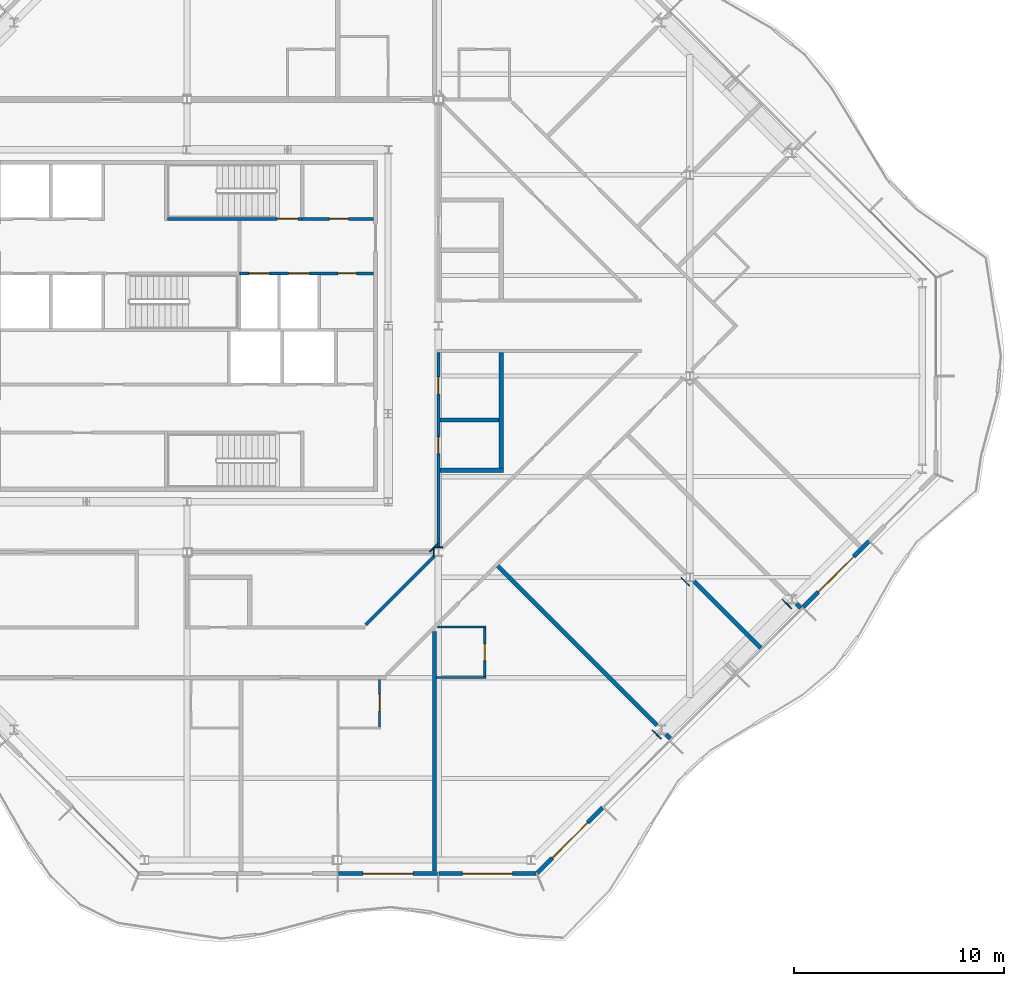
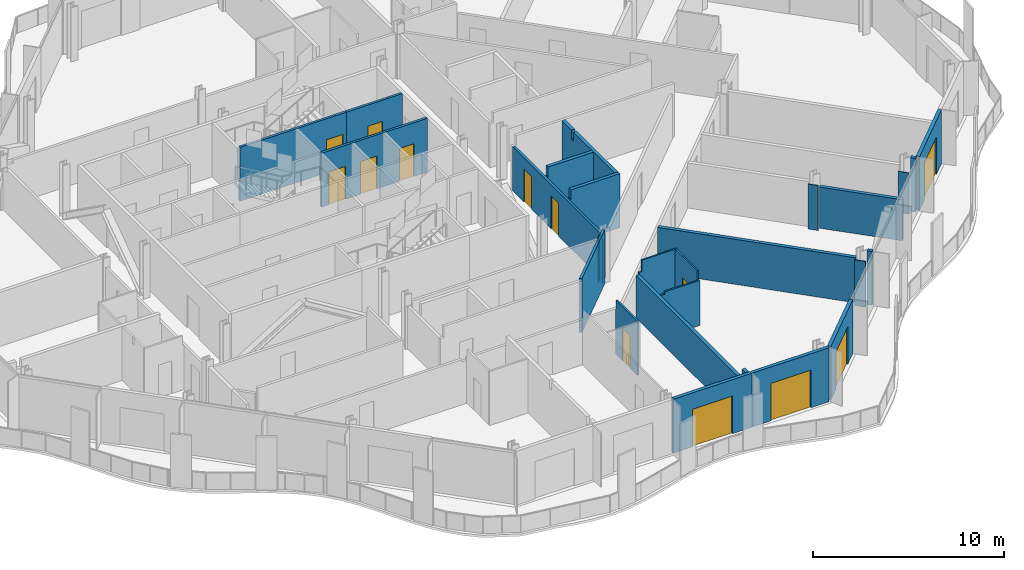
# One storey, part 9 of 17: 27 walls, 13 doors, 13 openings.
"""IFC4 building model written with IfcOpenShell, lengths in metres."""

from ifc_helpers import new_model, si_unit, direction, frame, frame_2d, origin, place, context, subcontext, project, spatial, polyline, rectangle, outline, extrude, material, layer, layer_set, type_object, element, fill, save


model = new_model("IFC4")

# Units and contexts
model_context = context("Model", 3, precision=1e-05, world=origin(), true_north=direction((0.0, 1.0)))
body_context = subcontext(model_context, "Body", "Model", "MODEL_VIEW")
ifc_project = project(units=[si_unit("LENGTHUNIT", "METRE"), si_unit("AREAUNIT", "SQUARE_METRE"), si_unit("VOLUMEUNIT", "CUBIC_METRE"), si_unit("PLANEANGLEUNIT", "RADIAN"), si_unit("MASSUNIT", "GRAM", prefix="KILO")], contexts=[model_context])

# Site, building, storey
site_placement = place(None, origin())
site = spatial("IfcSite", under=ifc_project, at=site_placement, CompositionType="ELEMENT")
building_placement = place(site_placement, origin())
building = spatial("IfcBuilding", under=site, at=building_placement, Name="Cairn Pilgrim Tower", CompositionType="ELEMENT")
storey_placement = place(building_placement, frame((0.0, 0.0, 221.39990234375)))
storey = spatial("IfcBuildingStorey", under=building, at=storey_placement, Name="L56", CompositionType="ELEMENT", Elevation=221.39990234375)

# Wall, opening, door
ifc_material_1 = material(Name="Bronze anodised aluminium insulated sandwich panel with mineral wool fill", Category="aluminium")
ifc_layer_1 = layer(ifc_material_1, 0.199951171875)
ifc_layer_set_1 = layer_set([ifc_layer_1], Name="BRONZE INFILL FRAME WALL 200")
wall_type_1 = type_object("IfcWallType", Name="BRONZE INFILL FRAME WALL 200", PredefinedType="NOTDEFINED", material=ifc_layer_set_1)
wall_1_placement = place(storey_placement, frame((14.429931640625, -23.75, 0.0), z_axis=(0.0, 0.0, 1.0), x_axis=(1.0, 0.0, 0.0)))
wall_1 = element("IfcWall", 1, at=wall_1_placement, inside=storey, type_object=wall_type_1, Name="Bronze infill frame wall IW-S3", PredefinedType="NOTDEFINED", context=body_context, shape_type="SweptSolid", body=[
    extrude(rectangle(XDim=4.739990234375, YDim=0.199951171875, at=frame_2d((2.3701171875, 0.0))), origin(), (0.0, 0.0, 1.0), 3.4501953125),
])
opening_1_placement = place(wall_1_placement, frame((1.169921875, 0.0, 0.0)))
opening_1 = element("IfcOpeningElement", 2, at=opening_1_placement, cuts=wall_1, Name="Opening 5614SB", PredefinedType="OPENING", context=body_context, shape_type="SweptSolid", body=[
    extrude(rectangle(XDim=2.39990234375, YDim=2.39990234375, at=frame_2d((1.199951171875, 1.199951171875))), frame((0.0, 0.10986328125, 0.0), z_axis=(0.0, -1.0, 0.0), x_axis=(1.0, 0.0, 0.0)), (0.0, 0.0, 1.0), 0.219970703125),
])
ifc_material_2 = material(Name="Bronze anodised aluminium frame with tinted low-E glass", Category="aluminium")
door_type_1 = type_object("IfcDoorType", Name="BALCONY SLIDING DOOR 2400x2400", OperationType="DOUBLE_DOOR_SLIDING", PredefinedType="DOOR", material=ifc_material_2)
door_1_placement = place(opening_1_placement, origin())
door_1 = element("IfcDoor", 3, at=door_1_placement, inside=storey, type_object=door_type_1, Name="Balcony sliding door 5614SB", OperationType="SINGLE_SWING_LEFT", OverallHeight=2.39990234375, OverallWidth=2.39990234375, PredefinedType="DOOR", context=body_context, shape_type="SweptSolid", body=[
    extrude(rectangle(XDim=2.39990234375, YDim=2.39990234375, at=frame_2d((1.199951171875, 1.199951171875))), frame((0.0, 0.02490234375, 0.0), z_axis=(0.0, -1.0, 0.0), x_axis=(1.0, 0.0, 0.0)), (0.0, 0.0, 1.0), 0.050048828125),
])
fill(opening_1, door_1)

wall_2_placement = place(storey_placement, frame((19.22998046875, -23.75, 0.0), z_axis=(0.0, 0.0, 1.0), x_axis=(1.0, 0.0, 0.0)))
wall_2 = element("IfcWall", 4, at=wall_2_placement, inside=storey, type_object=wall_type_1, Name="Bronze infill frame wall IW-S4", PredefinedType="NOTDEFINED", context=body_context, shape_type="SweptSolid", body=[
    extrude(rectangle(XDim=4.62646484375, YDim=0.199951171875, at=frame_2d((2.313232421875, 0.0))), origin(), (0.0, 0.0, 1.0), 3.4501953125),
])
opening_2_placement = place(wall_2_placement, frame((1.11865234375, 0.0, 0.0)))
opening_2 = element("IfcOpeningElement", 5, at=opening_2_placement, cuts=wall_2, Name="Opening 5601B", PredefinedType="OPENING", context=body_context, shape_type="SweptSolid", body=[
    extrude(rectangle(XDim=2.39990234375, YDim=2.39990234375, at=frame_2d((1.199951171875, 1.199951171875))), frame((0.0, 0.10986328125, 0.0), z_axis=(0.0, -1.0, 0.0), x_axis=(1.0, 0.0, 0.0)), (0.0, 0.0, 1.0), 0.219970703125),
])
door_2_placement = place(opening_2_placement, origin())
door_2 = element("IfcDoor", 6, at=door_2_placement, inside=storey, type_object=door_type_1, Name="Balcony sliding door 5601B", OperationType="SINGLE_SWING_LEFT", OverallHeight=2.39990234375, OverallWidth=2.39990234375, PredefinedType="DOOR", context=body_context, shape_type="SweptSolid", body=[
    extrude(rectangle(XDim=2.39990234375, YDim=2.39990234375, at=frame_2d((1.199951171875, 1.199951171875))), frame((0.0, 0.02490234375, 0.0), z_axis=(0.0, -1.0, 0.0), x_axis=(1.0, 0.0, 0.0)), (0.0, 0.0, 1.0), 0.050048828125),
])
fill(opening_2, door_2)

wall_3_placement = place(storey_placement, frame((23.9248046875, -23.7216796875, 0.0), z_axis=(0.0, 0.0, 1.0), x_axis=(0.707106781187, 0.707106781187, 0.0)))
wall_3 = element("IfcWall", 7, at=wall_3_placement, inside=storey, type_object=wall_type_1, Name="Bronze infill frame wall IW-SE1", PredefinedType="NOTDEFINED", context=body_context, shape_type="SweptSolid", body=[
    extrude(rectangle(XDim=4.4208984375, YDim=0.199951171875, at=frame_2d((2.21044921875, 0.0))), origin(), (0.0, 0.0, 1.0), 3.4501953125),
])
opening_3_placement = place(wall_3_placement, frame((1.00537109375, 0.0, 0.0)))
opening_3 = element("IfcOpeningElement", 8, at=opening_3_placement, cuts=wall_3, Name="Opening 5601B2", PredefinedType="OPENING", context=body_context, shape_type="SweptSolid", body=[
    extrude(rectangle(XDim=2.39990234375, YDim=2.39990234375, at=frame_2d((1.199951171875, 1.199951171875))), frame((0.0, 0.10986328125, 0.0), z_axis=(0.0, -1.0, 0.0), x_axis=(1.0, 0.0, 0.0)), (0.0, 0.0, 1.0), 0.219970703125),
])
door_3_placement = place(opening_3_placement, origin())
door_3 = element("IfcDoor", 9, at=door_3_placement, inside=storey, type_object=door_type_1, Name="Balcony sliding door 5601B2", OperationType="SINGLE_SWING_LEFT", OverallHeight=2.39990234375, OverallWidth=2.39990234375, PredefinedType="DOOR", context=body_context, shape_type="SweptSolid", body=[
    extrude(rectangle(XDim=2.39990234375, YDim=2.39990234375, at=frame_2d((1.199951171875, 1.199951171875))), frame((0.0, 0.02490234375, 0.0), z_axis=(0.0, -1.0, 0.0), x_axis=(1.0, 0.0, 0.0)), (0.0, 0.0, 1.0), 0.050048828125),
])
fill(opening_3, door_3)

wall_4_placement = place(storey_placement, frame((36.6201171875, -11.0263671875, 0.0), z_axis=(0.0, 0.0, 1.0), x_axis=(0.707106781187, 0.707106781187, 0.0)))
wall_4 = element("IfcWall", 10, at=wall_4_placement, inside=storey, type_object=wall_type_1, Name="Bronze infill frame wall IW-SE5", PredefinedType="NOTDEFINED", context=body_context, shape_type="SweptSolid", body=[
    extrude(rectangle(XDim=4.430908203125, YDim=0.199951171875, at=frame_2d((2.21533203125, 0.0))), origin(), (0.0, 0.0, 1.0), 3.4501953125),
])
opening_4_placement = place(wall_4_placement, frame((1.01513671875, 0.0, 0.0)))
opening_4 = element("IfcOpeningElement", 11, at=opening_4_placement, cuts=wall_4, Name="Opening 5604B", PredefinedType="OPENING", context=body_context, shape_type="SweptSolid", body=[
    extrude(rectangle(XDim=2.39990234375, YDim=2.39990234375, at=frame_2d((1.199951171875, 1.199951171875))), frame((0.0, 0.10986328125, 0.0), z_axis=(0.0, -1.0, 0.0), x_axis=(1.0, 0.0, 0.0)), (0.0, 0.0, 1.0), 0.219970703125),
])
door_4_placement = place(opening_4_placement, origin())
door_4 = element("IfcDoor", 12, at=door_4_placement, inside=storey, type_object=door_type_1, Name="Balcony sliding door 5604B", OperationType="SINGLE_SWING_LEFT", OverallHeight=2.39990234375, OverallWidth=2.39990234375, PredefinedType="DOOR", context=body_context, shape_type="SweptSolid", body=[
    extrude(rectangle(XDim=2.39990234375, YDim=2.39990234375, at=frame_2d((1.199951171875, 1.199951171875))), frame((0.0, 0.02490234375, 0.0), z_axis=(0.0, -1.0, 0.0), x_axis=(1.0, 0.0, 0.0)), (0.0, 0.0, 1.0), 0.050048828125),
])
fill(opening_4, door_4)

# Wall, openings, doors
ifc_material_3 = material(Name="Concrete C32/40", Category="concrete")
ifc_layer_2 = layer(ifc_material_3, 0.14990234375)
ifc_layer_set_2 = layer_set([ifc_layer_2], Name="CORE SHAFT WALL 150 EI 120")
wall_type_2 = type_object("IfcWallType", Name="CORE SHAFT WALL 150 EI 120", PredefinedType="SOLIDWALL", material=ifc_layer_set_2)
wall_5_placement = place(storey_placement, frame((9.699951171875, 4.89990234375, 0.0), z_axis=(0.0, 0.0, 1.0), x_axis=(1.0, 0.0, 0.0)))
wall_5 = element("IfcWall", 13, at=wall_5_placement, inside=storey, type_object=wall_type_2, Name="CW:L56:H09-3", PredefinedType="SOLIDWALL", context=body_context, shape_type="SweptSolid", body=[
    extrude(rectangle(XDim=6.400146484375, YDim=0.14990234375, at=frame_2d((3.2001953125, 0.0))), origin(), (0.0, 0.0, 1.0), 3.4501953125),
])
opening_5_placement = place(wall_5_placement, frame((0.449951171875, 0.0, 0.0)))
opening_5 = element("IfcOpeningElement", 14, at=opening_5_placement, cuts=wall_5, Name="Opening LD-FF1", PredefinedType="OPENING", context=body_context, shape_type="SweptSolid", body=[
    extrude(rectangle(XDim=1.0, YDim=2.10009765625, at=frame_2d((0.5, 1.050048828125))), frame((0.0, 0.0849609375, 0.0), z_axis=(0.0, -1.0, 0.0), x_axis=(1.0, 0.0, 0.0)), (0.0, 0.0, 1.0), 0.169921875),
])
opening_6_placement = place(wall_5_placement, frame((2.35009765625, 0.0, 0.0)))
opening_6 = element("IfcOpeningElement", 15, at=opening_6_placement, cuts=wall_5, Name="Opening LD-FF2", PredefinedType="OPENING", context=body_context, shape_type="SweptSolid", body=[
    extrude(rectangle(XDim=1.0, YDim=2.10009765625, at=frame_2d((0.5, 1.050048828125))), frame((0.0, 0.0849609375, 0.0), z_axis=(0.0, -1.0, 0.0), x_axis=(1.0, 0.0, 0.0)), (0.0, 0.0, 1.0), 0.169921875),
])
opening_7_placement = place(wall_5_placement, frame((4.699951171875, 0.0, 0.0)))
opening_7 = element("IfcOpeningElement", 16, at=opening_7_placement, cuts=wall_5, Name="Opening RD-R3E", PredefinedType="OPENING", context=body_context, shape_type="SweptSolid", body=[
    extrude(rectangle(XDim=0.89990234375, YDim=2.10009765625, at=frame_2d((0.449951171875, 1.050048828125))), frame((0.0, 0.0849609375, 0.0), z_axis=(0.0, -1.0, 0.0), x_axis=(1.0, 0.0, 0.0)), (0.0, 0.0, 1.0), 0.169921875),
])
ifc_material_4 = material(Name="Stainless steel", Category="steel")
door_type_2 = type_object("IfcDoorType", Name="LIFT LANDING DOOR FIRE 1000x2100", OperationType="DOUBLE_DOOR_SLIDING", PredefinedType="DOOR", material=ifc_material_4)
door_5_placement = place(opening_5_placement, origin())
door_5 = element("IfcDoor", 17, at=door_5_placement, inside=storey, type_object=door_type_2, Name="LANDING DOOR FF1", OperationType="DOUBLE_DOOR_SLIDING", OverallHeight=2.10009765625, OverallWidth=1.0, PredefinedType="DOOR", context=body_context, shape_type="SweptSolid", body=[
    extrude(rectangle(XDim=1.0, YDim=2.10009765625, at=frame_2d((0.5, 1.050048828125))), frame((0.0, 0.02490234375, 0.0), z_axis=(0.0, -1.0, 0.0), x_axis=(1.0, 0.0, 0.0)), (0.0, 0.0, 1.0), 0.050048828125),
])
fill(opening_5, door_5)
door_6_placement = place(opening_6_placement, origin())
door_6 = element("IfcDoor", 18, at=door_6_placement, inside=storey, type_object=door_type_2, Name="LANDING DOOR FF2", OperationType="DOUBLE_DOOR_SLIDING", OverallHeight=2.10009765625, OverallWidth=1.0, PredefinedType="DOOR", context=body_context, shape_type="SweptSolid", body=[
    extrude(rectangle(XDim=1.0, YDim=2.10009765625, at=frame_2d((0.5, 1.050048828125))), frame((0.0, 0.02490234375, 0.0), z_axis=(0.0, -1.0, 0.0), x_axis=(1.0, 0.0, 0.0)), (0.0, 0.0, 1.0), 0.050048828125),
])
fill(opening_6, door_6)
ifc_material_5 = material(Name="Painted steel", Category="steel")
door_type_3 = type_object("IfcDoorType", Name="SERVICE ROOM DOOR 900x2100", OperationType="SINGLE_SWING_LEFT", PredefinedType="DOOR", material=ifc_material_5)
door_7_placement = place(opening_7_placement, origin())
door_7 = element("IfcDoor", 19, at=door_7_placement, inside=storey, type_object=door_type_3, Name="RD-R3E", OperationType="SINGLE_SWING_LEFT", OverallHeight=2.10009765625, OverallWidth=0.89990234375, PredefinedType="DOOR", context=body_context, shape_type="SweptSolid", body=[
    extrude(rectangle(XDim=0.89990234375, YDim=2.10009765625, at=frame_2d((0.449951171875, 1.050048828125))), frame((0.0, 0.02490234375, 0.0), z_axis=(0.0, -1.0, 0.0), x_axis=(1.0, 0.0, 0.0)), (0.0, 0.0, 1.0), 0.050048828125),
])
fill(opening_7, door_7)

# Wall, opening, door
wall_6_placement = place(storey_placement, frame((12.699951171875, 7.5, 0.0), z_axis=(0.0, 0.0, 1.0), x_axis=(1.0, 0.0, 0.0)))
wall_6 = element("IfcWall", 20, at=wall_6_placement, inside=storey, type_object=wall_type_2, Name="CW:L56:H11-2", PredefinedType="SOLIDWALL", context=body_context, shape_type="SweptSolid", body=[
    extrude(rectangle(XDim=3.400146484375, YDim=0.14990234375, at=frame_2d((1.7001953125, 0.0))), origin(), (0.0, 0.0, 1.0), 3.4501953125),
])
opening_8_placement = place(wall_6_placement, frame((1.300048828125, 0.0, 0.0)))
opening_8 = element("IfcOpeningElement", 21, at=opening_8_placement, cuts=wall_6, Name="Opening RD-R4E", PredefinedType="OPENING", context=body_context, shape_type="SweptSolid", body=[
    extrude(rectangle(XDim=0.89990234375, YDim=2.10009765625, at=frame_2d((0.449951171875, 1.050048828125))), frame((0.0, 0.0849609375, 0.0), z_axis=(0.0, -1.0, 0.0), x_axis=(1.0, 0.0, 0.0)), (0.0, 0.0, 1.0), 0.169921875),
])
door_8_placement = place(opening_8_placement, origin())
door_8 = element("IfcDoor", 22, at=door_8_placement, inside=storey, type_object=door_type_3, Name="RD-R4E", OperationType="SINGLE_SWING_RIGHT", OverallHeight=2.10009765625, OverallWidth=0.89990234375, PredefinedType="DOOR", context=body_context, shape_type="SweptSolid", body=[
    extrude(rectangle(XDim=0.89990234375, YDim=2.10009765625, at=frame_2d((0.449951171875, 1.050048828125))), frame((0.0, 0.02490234375, 0.0), z_axis=(0.0, -1.0, 0.0), x_axis=(1.0, 0.0, 0.0)), (0.0, 0.0, 1.0), 0.050048828125),
])
fill(opening_8, door_8)

ifc_material_6 = material(Name="Gypsum partition")
ifc_layer_3 = layer(ifc_material_6, 0.10009765625)
ifc_layer_set_3 = layer_set([ifc_layer_3], Name="PARTITION 100 DRYWALL")
wall_type_3 = type_object("IfcWallType", Name="PARTITION 100 DRYWALL", PredefinedType="PARTITIONING", material=ifc_layer_set_3)
wall_7_placement = place(storey_placement, frame((16.39990234375, -16.75, 0.0), z_axis=(0.0, 0.0, 1.0), x_axis=(0.0, 1.0, 0.0)))
wall_7 = element("IfcWall", 23, at=wall_7_placement, inside=storey, type_object=wall_type_3, Name="PARTITION W009", PredefinedType="PARTITIONING", context=body_context, shape_type="SweptSolid", body=[
    extrude(outline(polyline([(0.0, 0.0), (2.27490234375, 0.0), (2.27490234375, 2.880126953125), (2.2451171875, 2.880126953125), (2.242919921875, 3.4501953125), (0.0, 3.4501953125), (0.0, 0.0)])), frame((0.0, 0.050048828125, 0.0), z_axis=(0.0, -1.0, 0.0), x_axis=(1.0, 0.0, 0.0)), (0.0, 0.0, 1.0), 0.10009765625),
])
opening_9_placement = place(wall_7_placement, frame((0.75, 0.0, 0.0)))
opening_9 = element("IfcOpeningElement", 24, at=opening_9_placement, cuts=wall_7, Name="Opening 5614A", PredefinedType="OPENING", context=body_context, shape_type="SweptSolid", body=[
    extrude(rectangle(XDim=0.800048828125, YDim=2.10009765625, at=frame_2d((0.39990234375, 1.050048828125))), frame((0.0, 0.06005859375, 0.0), z_axis=(0.0, -1.0, 0.0), x_axis=(1.0, 0.0, 0.0)), (0.0, 0.0, 1.0), 0.1201171875),
])
ifc_material_7 = material(Name="Timber door leaf", Category="wood")
door_type_4 = type_object("IfcDoorType", Name="WC DOOR 800x2100", OperationType="NOTDEFINED", PredefinedType="DOOR", material=ifc_material_7)
door_9_placement = place(opening_9_placement, frame((0.800048828125, 0.0, 0.0), z_axis=(0.0, 0.0, 1.0), x_axis=(-1.0, 0.0, 0.0)))
door_9 = element("IfcDoor", 25, at=door_9_placement, inside=storey, type_object=door_type_4, Name="DOOR 5614A", OperationType="SINGLE_SWING_RIGHT", OverallHeight=2.10009765625, OverallWidth=0.800048828125, PredefinedType="DOOR", context=body_context, shape_type="SweptSolid", body=[
    extrude(rectangle(XDim=0.800048828125, YDim=2.10009765625, at=frame_2d((0.39990234375, 1.050048828125))), frame((0.0, 0.02490234375, 0.0), z_axis=(0.0, -1.0, 0.0), x_axis=(1.0, 0.0, 0.0)), (0.0, 0.0, 1.0), 0.050048828125),
])
fill(opening_9, door_9)

# Wall
wall_8_placement = place(storey_placement, frame((19.114013671875, -14.3798828125, 0.0), z_axis=(0.0, 0.0, 1.0), x_axis=(1.0, 0.0, 0.0)))
element("IfcWall", 26, at=wall_8_placement, inside=storey, type_object=wall_type_3, Name="PARTITION W012", PredefinedType="PARTITIONING", context=body_context, shape_type="SweptSolid", body=[
    extrude(outline(polyline([(0.0, 0.0), (2.35009765625, 0.0), (2.35009765625, 2.880126953125), (0.236083984375, 2.880126953125), (0.23388671875, 2.72998046875), (0.0, 2.72998046875), (0.0, 0.0)])), frame((0.0, 0.050048828125, 0.0), z_axis=(0.0, -1.0, 0.0), x_axis=(1.0, 0.0, 0.0)), (0.0, 0.0, 1.0), 0.10009765625),
])

# Wall, opening, door
wall_9_placement = place(storey_placement, frame((21.4140625, -14.330078125, 0.0), z_axis=(0.0, 0.0, 1.0), x_axis=(0.0, 1.0, 0.0)))
wall_9 = element("IfcWall", 27, at=wall_9_placement, inside=storey, type_object=wall_type_3, Name="PARTITION W014", PredefinedType="PARTITIONING", context=body_context, shape_type="SweptSolid", body=[
    extrude(outline(polyline([(0.0, 0.0), (2.300048828125, 0.0), (2.300048828125, 3.4501953125), (0.034912109375, 3.4501953125), (0.032958984375, 2.880126953125), (0.0, 2.880126953125), (0.0, 0.0)])), frame((0.0, 0.050048828125, 0.0), z_axis=(0.0, -1.0, 0.0), x_axis=(1.0, 0.0, 0.0)), (0.0, 0.0, 1.0), 0.10009765625),
])
opening_10_placement = place(wall_9_placement, frame((0.75, 0.0, 0.0)))
opening_10 = element("IfcOpeningElement", 28, at=opening_10_placement, cuts=wall_9, Name="Opening 5601A", PredefinedType="OPENING", context=body_context, shape_type="SweptSolid", body=[
    extrude(rectangle(XDim=0.800048828125, YDim=2.10009765625, at=frame_2d((0.39990234375, 1.050048828125))), frame((0.0, 0.06005859375, 0.0), z_axis=(0.0, -1.0, 0.0), x_axis=(1.0, 0.0, 0.0)), (0.0, 0.0, 1.0), 0.1201171875),
])
door_10_placement = place(opening_10_placement, frame((0.800048828125, 0.0, 0.0), z_axis=(0.0, 0.0, 1.0), x_axis=(-1.0, 0.0, 0.0)))
door_10 = element("IfcDoor", 29, at=door_10_placement, inside=storey, type_object=door_type_4, Name="DOOR 5601A", OperationType="SINGLE_SWING_LEFT", OverallHeight=2.10009765625, OverallWidth=0.800048828125, PredefinedType="DOOR", context=body_context, shape_type="SweptSolid", body=[
    extrude(rectangle(XDim=0.800048828125, YDim=2.10009765625, at=frame_2d((0.39990234375, 1.050048828125))), frame((0.0, 0.02490234375, 0.0), z_axis=(0.0, -1.0, 0.0), x_axis=(1.0, 0.0, 0.0)), (0.0, 0.0, 1.0), 0.050048828125),
])
fill(opening_10, door_10)

# Walls
wall_10_placement = place(storey_placement, frame((19.170166015625, -11.97998046875, 0.0), z_axis=(0.0, 0.0, 1.0), x_axis=(1.0, 0.0, 0.0)))
element("IfcWall", 30, at=wall_10_placement, inside=storey, type_object=wall_type_3, Name="PARTITION W019", PredefinedType="PARTITIONING", context=body_context, shape_type="SweptSolid", body=[
    extrude(outline(polyline([(0.0, 0.0), (2.2939453125, 0.0), (2.2939453125, 3.4501953125), (0.179931640625, 3.4501953125), (0.177978515625, 2.72998046875), (0.0, 2.72998046875), (0.0, 0.0)])), frame((0.0, 0.050048828125, 0.0), z_axis=(0.0, -1.0, 0.0), x_axis=(1.0, 0.0, 0.0)), (0.0, 0.0, 1.0), 0.10009765625),
])
ifc_layer_4 = layer(ifc_material_6, 0.14990234375)
ifc_layer_set_4 = layer_set([ifc_layer_4], Name="PARTITION 150 DRYWALL EI 60")
wall_type_4 = type_object("IfcWallType", Name="PARTITION 150 DRYWALL EI 60", PredefinedType="PARTITIONING", material=ifc_layer_set_4)
wall_11_placement = place(storey_placement, frame((15.72802734375, -11.8720703125, 0.0), z_axis=(0.0, 0.0, 1.0), x_axis=(0.707080416772, 0.707133144618, 0.0)))
element("IfcWall", 31, at=wall_11_placement, inside=storey, type_object=wall_type_4, Name="PARTITION W024", PredefinedType="PARTITIONING", context=body_context, shape_type="SweptSolid", body=[
    extrude(rectangle(XDim=4.630126953125, YDim=0.14990234375, at=frame_2d((2.31494140625, 0.0))), origin(), (0.0, 0.0, 1.0), 3.4501953125),
])

# Wall, openings, doors
wall_12_placement = place(storey_placement, frame((19.199951171875, -8.20361328125, 0.0), z_axis=(0.0, 0.0, 1.0), x_axis=(0.0, 1.0, 0.0)))
wall_12 = element("IfcWall", 32, at=wall_12_placement, inside=storey, type_object=wall_type_4, Name="PARTITION W033", PredefinedType="PARTITIONING", context=body_context, shape_type="SweptSolid", body=[
    extrude(rectangle(XDim=9.32861328125, YDim=0.14990234375, at=frame_2d((4.664306640625, 0.0))), origin(), (0.0, 0.0, 1.0), 2.830078125),
])
opening_11_placement = place(wall_12_placement, frame((7.353515625, 0.0, 0.0)))
opening_11 = element("IfcOpeningElement", 33, at=opening_11_placement, cuts=wall_12, Name="Opening 5615", PredefinedType="OPENING", context=body_context, shape_type="SweptSolid", body=[
    extrude(rectangle(XDim=0.800048828125, YDim=2.10009765625, at=frame_2d((0.39990234375, 1.050048828125))), frame((0.0, 0.0849609375, 0.0), z_axis=(0.0, -1.0, 0.0), x_axis=(1.0, 0.0, 0.0)), (0.0, 0.0, 1.0), 0.169921875),
])
opening_12_placement = place(wall_12_placement, frame((4.50341796875, 0.0, 0.0)))
opening_12 = element("IfcOpeningElement", 34, at=opening_12_placement, cuts=wall_12, Name="Opening 5619", PredefinedType="OPENING", context=body_context, shape_type="SweptSolid", body=[
    extrude(rectangle(XDim=0.800048828125, YDim=2.10009765625, at=frame_2d((0.39990234375, 1.050048828125))), frame((0.0, 0.0849609375, 0.0), z_axis=(0.0, -1.0, 0.0), x_axis=(1.0, 0.0, 0.0)), (0.0, 0.0, 1.0), 0.169921875),
])
door_type_5 = type_object("IfcDoorType", Name="WC DOOR 800x2100 FD30S", OperationType="NOTDEFINED", PredefinedType="DOOR", material=ifc_material_7)
door_11_placement = place(opening_11_placement, frame((0.800048828125, 0.0, 0.0), z_axis=(0.0, 0.0, 1.0), x_axis=(-1.0, 0.0, 0.0)))
door_11 = element("IfcDoor", 35, at=door_11_placement, inside=storey, type_object=door_type_5, Name="DOOR 5615", OperationType="SINGLE_SWING_RIGHT", OverallHeight=2.10009765625, OverallWidth=0.800048828125, PredefinedType="DOOR", context=body_context, shape_type="SweptSolid", body=[
    extrude(rectangle(XDim=0.800048828125, YDim=2.10009765625, at=frame_2d((0.39990234375, 1.050048828125))), frame((0.0, 0.02490234375, 0.0), z_axis=(0.0, -1.0, 0.0), x_axis=(1.0, 0.0, 0.0)), (0.0, 0.0, 1.0), 0.050048828125),
])
fill(opening_11, door_11)
door_12_placement = place(opening_12_placement, frame((0.800048828125, 0.0, 0.0), z_axis=(0.0, 0.0, 1.0), x_axis=(-1.0, 0.0, 0.0)))
door_12 = element("IfcDoor", 36, at=door_12_placement, inside=storey, type_object=door_type_5, Name="DOOR 5619", OperationType="SINGLE_SWING_RIGHT", OverallHeight=2.10009765625, OverallWidth=0.800048828125, PredefinedType="DOOR", context=body_context, shape_type="SweptSolid", body=[
    extrude(rectangle(XDim=0.800048828125, YDim=2.10009765625, at=frame_2d((0.39990234375, 1.050048828125))), frame((0.0, 0.02490234375, 0.0), z_axis=(0.0, -1.0, 0.0), x_axis=(1.0, 0.0, 0.0)), (0.0, 0.0, 1.0), 0.050048828125),
])
fill(opening_12, door_12)

# Walls
ifc_layer_5 = layer(ifc_material_6, 0.050048828125)
ifc_layer_set_5 = layer_set([ifc_layer_5], Name="PARTITION 50 DRYWALL EI 60")
wall_type_5 = type_object("IfcWallType", Name="PARTITION 50 DRYWALL EI 60", PredefinedType="PARTITIONING", material=ifc_layer_set_5)
wall_13_placement = place(storey_placement, frame((29.833740234375, -17.324462890625, 0.0), z_axis=(0.0, 0.0, 1.0), x_axis=(-0.706906496032, 0.707307009627, 0.0)))
element("IfcWall", 37, at=wall_13_placement, inside=storey, type_object=wall_type_5, Name="COLUMN CASING WC02", PredefinedType="PARTITIONING", context=body_context, shape_type="SweptSolid", body=[
    extrude(rectangle(XDim=0.609619140625, YDim=0.050048828125, at=frame_2d((0.3046875, 0.0))), origin(), (0.0, 0.0, 1.0), 2.93017578125),
])
wall_14_placement = place(storey_placement, frame((31.182373046875, -10.013671875, 0.0), z_axis=(0.0, 0.0, 1.0), x_axis=(-0.707106781187, 0.707106781187, 0.0)))
element("IfcWall", 38, at=wall_14_placement, inside=storey, type_object=wall_type_5, Name="COLUMN CASING WC04", PredefinedType="PARTITIONING", context=body_context, shape_type="SweptSolid", body=[
    extrude(rectangle(XDim=0.56005859375, YDim=0.050048828125, at=frame_2d((0.280029296875, 0.0))), origin(), (0.0, 0.0, 1.0), 2.880126953125),
])
wall_15_placement = place(storey_placement, frame((18.786376953125, -8.38232421875, 0.0), z_axis=(0.0, 0.0, 1.0), x_axis=(0.707106781187, 0.707106781187, 0.0)))
element("IfcWall", 39, at=wall_15_placement, inside=storey, type_object=wall_type_5, Name="COLUMN CASING WC06", PredefinedType="PARTITIONING", context=body_context, shape_type="SweptSolid", body=[
    extrude(rectangle(XDim=0.56005859375, YDim=0.050048828125, at=frame_2d((0.280029296875, 0.0))), origin(), (0.0, 0.0, 1.0), 2.830078125),
])
wall_16_placement = place(storey_placement, frame((36.05810546875, -11.10009765625, 0.0), z_axis=(0.0, 0.0, 1.0), x_axis=(-0.707307009627, 0.706906496032, 0.0)))
element("IfcWall", 40, at=wall_16_placement, inside=storey, type_object=wall_type_5, Name="COLUMN CASING WC07", PredefinedType="PARTITIONING", context=body_context, shape_type="SweptSolid", body=[
    extrude(rectangle(XDim=0.609619140625, YDim=0.050048828125, at=frame_2d((0.3046875, 0.0))), origin(), (0.0, 0.0, 1.0), 2.630126953125),
])
wall_17_placement = place(storey_placement, frame((19.00048828125, -8.178466796875, 0.0), z_axis=(0.0, 0.0, 1.0), x_axis=(1.0, 0.0, 0.0)))
element("IfcWall", 41, at=wall_17_placement, inside=storey, type_object=wall_type_5, Name="COLUMN CASING WC13", PredefinedType="PARTITIONING", context=body_context, shape_type="SweptSolid", body=[
    extrude(rectangle(XDim=0.39892578125, YDim=0.050048828125, at=frame_2d((0.199462890625, 0.0))), origin(), (0.0, 0.0, 1.0), 2.830078125),
])
wall_18_placement = place(storey_placement, frame((18.9755859375, -8.596435546875, 0.0), z_axis=(0.0, 0.0, 1.0), x_axis=(0.0, 1.0, 0.0)))
element("IfcWall", 42, at=wall_18_placement, inside=storey, type_object=wall_type_5, Name="COLUMN CASING WC14", PredefinedType="PARTITIONING", context=body_context, shape_type="SweptSolid", body=[
    extrude(rectangle(XDim=0.392822265625, YDim=0.050048828125, at=frame_2d((0.1962890625, 0.0))), origin(), (0.0, 0.0, 1.0), 2.830078125),
])
ifc_layer_6 = layer(ifc_material_6, 0.199951171875)
ifc_layer_set_6 = layer_set([ifc_layer_6], Name="SHAFT WALL 200 GYPSUM EI 60")
wall_type_6 = type_object("IfcWallType", Name="SHAFT WALL 200 GYPSUM EI 60", PredefinedType="PARTITIONING", material=ifc_layer_set_6)
wall_19_placement = place(storey_placement, frame((19.013916015625, -23.6201171875, 0.0), z_axis=(0.0, 0.0, 1.0), x_axis=(0.0, 1.0, 0.0)))
element("IfcWall", 43, at=wall_19_placement, inside=storey, type_object=wall_type_6, Name="PARTITION W003", PredefinedType="PARTITIONING", context=body_context, shape_type="SweptSolid", body=[
    extrude(outline(polyline([(0.0, 0.0), (11.43408203125, 0.0), (11.433837890625, 2.72998046875), (0.639892578125, 2.72998046875), (0.637939453125, 2.93017578125), (0.3701171875, 2.93017578125), (0.367919921875, 3.4501953125), (0.0, 3.4501953125), (0.0, 0.0)])), frame((0.0, 0.10009765625, 0.0), z_axis=(0.0, -1.0, 0.0), x_axis=(1.0, 0.0, 0.0)), (0.0, 0.0, 1.0), 0.199951171875),
])
wall_20_placement = place(storey_placement, frame((30.268798828125, -17.292724609375, 0.0), z_axis=(0.0, 0.0, 1.0), x_axis=(-0.707106781187, 0.707106781187, 0.0)))
element("IfcWall", 44, at=wall_20_placement, inside=storey, type_object=wall_type_6, Name="PARTITION W005", PredefinedType="PARTITIONING", context=body_context, shape_type="SweptSolid", body=[
    extrude(rectangle(XDim=0.28515625, YDim=0.199951171875, at=frame_2d((0.142578125, 0.0))), origin(), (0.0, 0.0, 1.0), 3.4501953125),
])
wall_21_placement = place(storey_placement, frame((29.635986328125, -16.66015625, 0.0), z_axis=(0.0, 0.0, 1.0), x_axis=(-0.707095420673, 0.707118141518, 0.0)))
element("IfcWall", 45, at=wall_21_placement, inside=storey, type_object=wall_type_6, Name="PARTITION W010", PredefinedType="PARTITIONING", context=body_context, shape_type="SweptSolid", body=[
    extrude(rectangle(XDim=10.7451171875, YDim=0.199951171875, at=frame_2d((5.37255859375, 0.0))), origin(), (0.0, 0.0, 1.0), 2.880126953125),
])
wall_22_placement = place(storey_placement, frame((34.580810546875, -12.980712890625, 0.0), z_axis=(0.0, 0.0, 1.0), x_axis=(-0.707133900936, 0.707079660397, 0.0)))
element("IfcWall", 46, at=wall_22_placement, inside=storey, type_object=wall_type_6, Name="PARTITION W016", PredefinedType="PARTITIONING", context=body_context, shape_type="SweptSolid", body=[
    extrude(rectangle(XDim=4.5009765625, YDim=0.199951171875, at=frame_2d((2.25048828125, 0.0))), origin(), (0.0, 0.0, 1.0), 2.630126953125),
])
wall_23_placement = place(storey_placement, frame((36.492919921875, -11.06884765625, 0.0), z_axis=(0.0, 0.0, 1.0), x_axis=(-0.707534423513, 0.706678880075, 0.0)))
element("IfcWall", 47, at=wall_23_placement, inside=storey, type_object=wall_type_6, Name="PARTITION W025", PredefinedType="PARTITIONING", context=body_context, shape_type="SweptSolid", body=[
    extrude(rectangle(XDim=0.285400390625, YDim=0.199951171875, at=frame_2d((0.142578125, 0.0))), origin(), (0.0, 0.0, 1.0), 3.4501953125),
])
wall_24_placement = place(storey_placement, frame((19.27490234375, -4.5, 0.0), z_axis=(0.0, 0.0, 1.0), x_axis=(1.0, 0.0, 0.0)))
element("IfcWall", 48, at=wall_24_placement, inside=storey, type_object=wall_type_6, Name="PARTITION W038", PredefinedType="PARTITIONING", context=body_context, shape_type="SweptSolid", body=[
    extrude(outline(polyline([(0.0, 0.0), (3.025146484375, 0.0), (3.02490234375, 3.4501953125), (0.074951171875, 3.4501953125), (0.072998046875, 2.830078125), (0.0, 2.830078125), (0.0, 0.0)])), frame((0.0, 0.10009765625, 0.0), z_axis=(0.0, -1.0, 0.0), x_axis=(1.0, 0.0, 0.0)), (0.0, 0.0, 1.0), 0.199951171875),
])
wall_25_placement = place(storey_placement, frame((22.199951171875, -4.39990234375, 0.0), z_axis=(0.0, 0.0, 1.0), x_axis=(0.0, 1.0, 0.0)))
element("IfcWall", 49, at=wall_25_placement, inside=storey, type_object=wall_type_6, Name="PARTITION W039", PredefinedType="PARTITIONING", context=body_context, shape_type="SweptSolid", body=[
    extrude(outline(polyline([(0.0, 0.0), (5.52490234375, 0.0), (5.52490234375, 3.4501953125), (4.5048828125, 3.4501953125), (4.5029296875, 2.880126953125), (4.294921875, 2.880126953125), (4.29296875, 3.4501953125), (0.0, 3.4501953125), (0.0, 0.0)])), frame((0.0, 0.10009765625, 0.0), z_axis=(0.0, -1.0, 0.0), x_axis=(1.0, 0.0, 0.0)), (0.0, 0.0, 1.0), 0.199951171875),
])
wall_26_placement = place(storey_placement, frame((19.27490234375, -2.10009765625, 0.0), z_axis=(0.0, 0.0, 1.0), x_axis=(1.0, 0.0, 0.0)))
element("IfcWall", 50, at=wall_26_placement, inside=storey, type_object=wall_type_6, Name="PARTITION W042", PredefinedType="PARTITIONING", context=body_context, shape_type="SweptSolid", body=[
    extrude(outline(polyline([(0.0, 0.0), (2.8251953125, 0.0), (2.824951171875, 3.4501953125), (0.074951171875, 3.4501953125), (0.072998046875, 2.830078125), (0.0, 2.830078125), (0.0, 0.0)])), frame((0.0, 0.10009765625, 0.0), z_axis=(0.0, -1.0, 0.0), x_axis=(1.0, 0.0, 0.0)), (0.0, 0.0, 1.0), 0.199951171875),
])

# Wall, opening, door
ifc_material_8 = material(Name="Concrete C35/45", Category="concrete")
ifc_layer_7 = layer(ifc_material_8, 0.14990234375)
ifc_layer_set_7 = layer_set([ifc_layer_7], Name="STAIR SHAFT WALL 150 EI 120")
wall_type_7 = type_object("IfcWallType", Name="STAIR SHAFT WALL 150 EI 120", PredefinedType="SOLIDWALL", material=ifc_layer_set_7)
wall_27_placement = place(storey_placement, frame((6.27490234375, 7.5, 0.0), z_axis=(0.0, 0.0, 1.0), x_axis=(1.0, 0.0, 0.0)))
wall_27 = element("IfcWall", 51, at=wall_27_placement, inside=storey, type_object=wall_type_7, Name="CW:L56:H11-1", PredefinedType="SOLIDWALL", context=body_context, shape_type="SweptSolid", body=[
    extrude(rectangle(XDim=6.425048828125, YDim=0.14990234375, at=frame_2d((3.21240234375, 0.0))), origin(), (0.0, 0.0, 1.0), 3.4501953125),
])
opening_13_placement = place(wall_27_placement, frame((5.22509765625, 0.0, 0.0)))
opening_13 = element("IfcOpeningElement", 52, at=opening_13_placement, cuts=wall_27, Name="Opening SD-C", PredefinedType="OPENING", context=body_context, shape_type="SweptSolid", body=[
    extrude(rectangle(XDim=1.0, YDim=2.10009765625, at=frame_2d((0.5, 1.050048828125))), frame((0.0, 0.0849609375, 0.0), z_axis=(0.0, -1.0, 0.0), x_axis=(1.0, 0.0, 0.0)), (0.0, 0.0, 1.0), 0.169921875),
])
door_type_6 = type_object("IfcDoorType", Name="STAIR DOOR FD60S 1000x2100", OperationType="SINGLE_SWING_LEFT", PredefinedType="DOOR", material=ifc_material_5)
door_13_placement = place(opening_13_placement, origin())
door_13 = element("IfcDoor", 53, at=door_13_placement, inside=storey, type_object=door_type_6, Name="SD-C", OperationType="SINGLE_SWING_LEFT", OverallHeight=2.10009765625, OverallWidth=1.0, PredefinedType="DOOR", context=body_context, shape_type="SweptSolid", body=[
    extrude(rectangle(XDim=1.0, YDim=2.10009765625, at=frame_2d((0.5, 1.050048828125))), frame((0.0, 0.02490234375, 0.0), z_axis=(0.0, -1.0, 0.0), x_axis=(1.0, 0.0, 0.0)), (0.0, 0.0, 1.0), 0.050048828125),
])
fill(opening_13, door_13)

save(model, "model.ifc")
